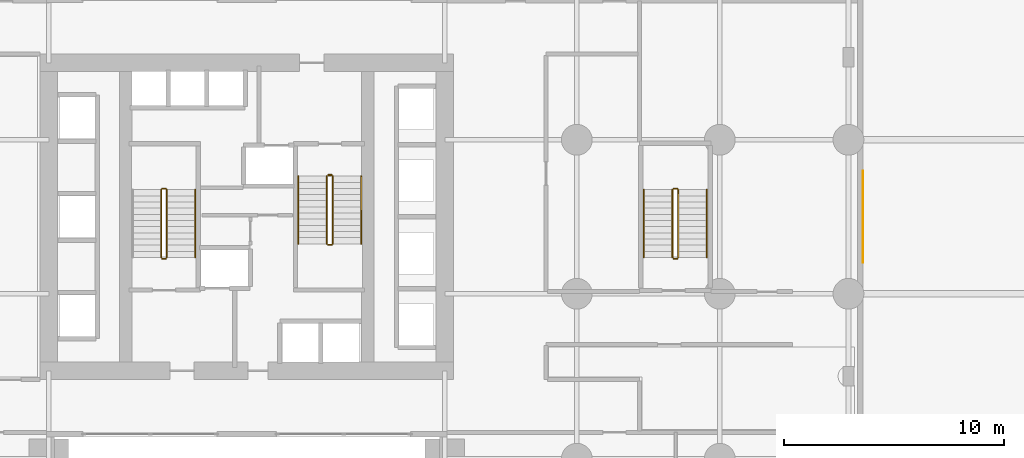
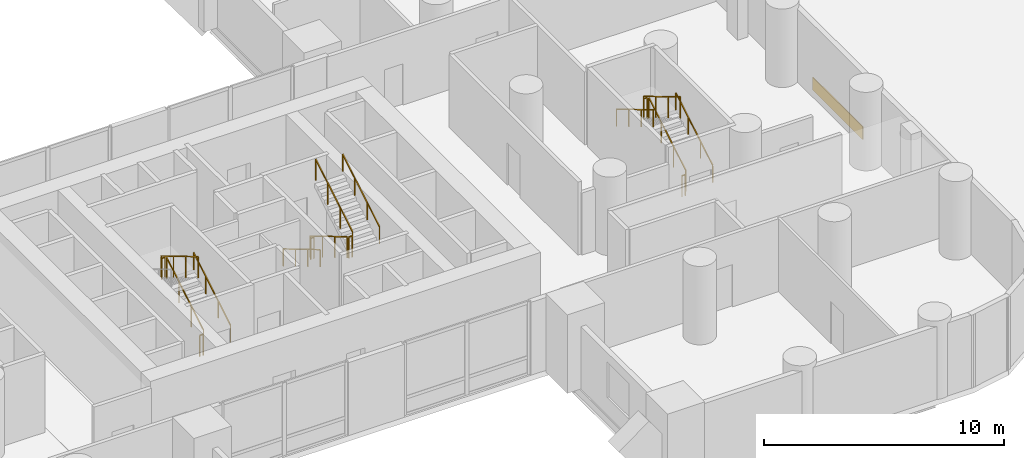
# One storey, part 8 of 8: 17 railings, 1 covering.
"""IFC4 building model written with IfcOpenShell, lengths in metres."""

from ifc_helpers import new_model, si_unit, direction, frame, origin, origin_2d, place, context, subcontext, project, spatial, rectangle, extrude, material, layer, layer_set, type_object, element, save


model = new_model("IFC4")

# Units and contexts
model_context = context("Model", 3, precision=1e-05, world=origin(), true_north=direction((0.0, 1.0)))
body_context = subcontext(model_context, "Body", "Model", "MODEL_VIEW")
ifc_project = project(units=[si_unit("LENGTHUNIT", "METRE"), si_unit("AREAUNIT", "SQUARE_METRE"), si_unit("VOLUMEUNIT", "CUBIC_METRE"), si_unit("PLANEANGLEUNIT", "RADIAN"), si_unit("MASSUNIT", "GRAM", prefix="KILO")], contexts=[model_context])

# Site, building, storey
site_placement = place(None, origin())
site = spatial("IfcSite", under=ifc_project, at=site_placement, CompositionType="ELEMENT")
building_placement = place(site_placement, origin())
building = spatial("IfcBuilding", under=site, at=building_placement, Name="Veldorim Arch Residences", CompositionType="ELEMENT")
storey_placement = place(building_placement, frame((0.0, 0.0, 4.0)))
storey = spatial("IfcBuildingStorey", under=building, at=storey_placement, Name="L01", CompositionType="ELEMENT", Elevation=4.0)

# Railings
ifc_material_1 = material(Name="Steel S355", Category="steel")
railing_type_1 = type_object("IfcRailingType", Name="Galvanised Steel Stair Safety Guardrail 1100", PredefinedType="GUARDRAIL", material=ifc_material_1)
railing_1_placement = place(storey_placement, frame((28.360107421875, 22.14990234375, 0.166748046875)))
element("IfcRailing", 1, at=railing_1_placement, inside=storey, type_object=railing_type_1, Name="L01 ST-1 stair guard 1", PredefinedType="GUARDRAIL", context=body_context, shape_type="SweptSolid", body=[
    extrude(rectangle(XDim=0.048095703125, YDim=0.048095703125, at=origin_2d()), frame((0.0, 0.0, 1.076171875), z_axis=(0.0, 0.859308565015, 0.511457515432), x_axis=(-1.0, 0.0, 0.0)), (0.0, 0.0, 1.0), 3.58447265625),
    extrude(rectangle(XDim=0.0419921875, YDim=0.0419921875, at=origin_2d()), origin(), (0.0, 0.0, 1.0), 1.052001953125),
    extrude(rectangle(XDim=0.0419921875, YDim=0.0419921875, at=origin_2d()), frame((0.0, 1.026611328125, 0.611083984375)), (0.0, 0.0, 1.0), 1.052001953125),
    extrude(rectangle(XDim=0.0419921875, YDim=0.0419921875, at=origin_2d()), frame((0.0, 2.053466796875, 1.22216796875)), (0.0, 0.0, 1.0), 1.052001953125),
    extrude(rectangle(XDim=0.0419921875, YDim=0.0419921875, at=origin_2d()), frame((0.0, 3.080078125, 1.833251953125)), (0.0, 0.0, 1.0), 1.052001953125),
])
railing_2_placement = place(storey_placement, frame((28.31005859375, 25.280029296875, 2.0)))
element("IfcRailing", 2, at=railing_2_placement, inside=storey, type_object=railing_type_1, Name="L01 ST-1 stair guard 2", PredefinedType="GUARDRAIL", context=body_context, shape_type="SweptSolid", body=[
    extrude(rectangle(XDim=0.048095703125, YDim=0.048095703125, at=origin_2d()), frame((0.0, 0.0, 1.076171875), z_axis=(-1.0, 0.0, 0.0), x_axis=(0.0, -1.0, 0.0)), (0.0, 0.0, 1.0), 0.16015625),
    extrude(rectangle(XDim=0.0419921875, YDim=0.0419921875, at=origin_2d()), origin(), (0.0, 0.0, 1.0), 1.052001953125),
    extrude(rectangle(XDim=0.0419921875, YDim=0.0419921875, at=origin_2d()), frame((-0.16015625, 0.0, 0.0)), (0.0, 0.0, 1.0), 1.052001953125),
])
railing_3_placement = place(storey_placement, frame((28.10009765625, 25.22998046875, 2.166748046875)))
element("IfcRailing", 3, at=railing_3_placement, inside=storey, type_object=railing_type_1, Name="L01 ST-1 stair guard 3", PredefinedType="GUARDRAIL", context=body_context, shape_type="SweptSolid", body=[
    extrude(rectangle(XDim=0.048095703125, YDim=0.048095703125, at=origin_2d()), frame((0.0, 0.0, 1.076171875), z_axis=(0.0, -0.859308565015, 0.511457515432), x_axis=(1.0, 0.0, 0.0)), (0.0, 0.0, 1.0), 3.58447265625),
    extrude(rectangle(XDim=0.0419921875, YDim=0.0419921875, at=origin_2d()), origin(), (0.0, 0.0, 1.0), 1.052001953125),
    extrude(rectangle(XDim=0.0419921875, YDim=0.0419921875, at=origin_2d()), frame((0.0, -1.026611328125, 0.611083984375)), (0.0, 0.0, 1.0), 1.052001953125),
    extrude(rectangle(XDim=0.0419921875, YDim=0.0419921875, at=origin_2d()), frame((0.0, -2.053466796875, 1.22216796875)), (0.0, 0.0, 1.0), 1.052001953125),
    extrude(rectangle(XDim=0.0419921875, YDim=0.0419921875, at=origin_2d()), frame((0.0, -3.080078125, 1.833251953125)), (0.0, 0.0, 1.0), 1.052001953125),
])
railing_4_placement = place(storey_placement, frame((28.31005859375, 22.10009765625, 0.0)))
element("IfcRailing", 4, at=railing_4_placement, inside=storey, type_object=railing_type_1, Name="L01 ST-1 stair guard 4", PredefinedType="GUARDRAIL", context=body_context, shape_type="SweptSolid", body=[
    extrude(rectangle(XDim=0.048095703125, YDim=0.048095703125, at=origin_2d()), frame((0.0, 0.0, 1.076171875), z_axis=(-1.0, 0.0, 0.0), x_axis=(0.0, -1.0, 0.0)), (0.0, 0.0, 1.0), 0.16015625),
    extrude(rectangle(XDim=0.0419921875, YDim=0.0419921875, at=origin_2d()), origin(), (0.0, 0.0, 1.0), 1.052001953125),
    extrude(rectangle(XDim=0.0419921875, YDim=0.0419921875, at=origin_2d()), frame((-0.16015625, 0.0, 0.0)), (0.0, 0.0, 1.0), 1.052001953125),
])
railing_5_placement = place(storey_placement, frame((35.639892578125, 25.85009765625, 0.166748046875)))
element("IfcRailing", 5, at=railing_5_placement, inside=storey, type_object=railing_type_1, Name="L01 ST-2 stair guard 1", PredefinedType="GUARDRAIL", context=body_context, shape_type="SweptSolid", body=[
    extrude(rectangle(XDim=0.048095703125, YDim=0.048095703125, at=origin_2d()), frame((0.0, 0.0, 1.076171875), z_axis=(0.0, -0.859308565015, 0.511457515432), x_axis=(1.0, 0.0, 0.0)), (0.0, 0.0, 1.0), 3.58447265625),
    extrude(rectangle(XDim=0.0419921875, YDim=0.0419921875, at=origin_2d()), origin(), (0.0, 0.0, 1.0), 1.052001953125),
    extrude(rectangle(XDim=0.0419921875, YDim=0.0419921875, at=origin_2d()), frame((0.0, -1.026611328125, 0.611083984375)), (0.0, 0.0, 1.0), 1.052001953125),
    extrude(rectangle(XDim=0.0419921875, YDim=0.0419921875, at=origin_2d()), frame((0.0, -2.053466796875, 1.22216796875)), (0.0, 0.0, 1.0), 1.052001953125),
    extrude(rectangle(XDim=0.0419921875, YDim=0.0419921875, at=origin_2d()), frame((0.0, -3.080078125, 1.833251953125)), (0.0, 0.0, 1.0), 1.052001953125),
])
railing_6_placement = place(storey_placement, frame((35.68994140625, 22.719970703125, 2.0)))
element("IfcRailing", 6, at=railing_6_placement, inside=storey, type_object=railing_type_1, Name="L01 ST-2 stair guard 2", PredefinedType="GUARDRAIL", context=body_context, shape_type="SweptSolid", body=[
    extrude(rectangle(XDim=0.048095703125, YDim=0.048095703125, at=origin_2d()), frame((0.0, 0.0, 1.076171875), z_axis=(1.0, 0.0, 0.0), x_axis=(0.0, 1.0, 0.0)), (0.0, 0.0, 1.0), 0.16015625),
    extrude(rectangle(XDim=0.0419921875, YDim=0.0419921875, at=origin_2d()), origin(), (0.0, 0.0, 1.0), 1.052001953125),
    extrude(rectangle(XDim=0.0419921875, YDim=0.0419921875, at=origin_2d()), frame((0.16015625, 0.0, 0.0)), (0.0, 0.0, 1.0), 1.052001953125),
])
railing_7_placement = place(storey_placement, frame((35.89990234375, 22.77001953125, 2.166748046875)))
element("IfcRailing", 7, at=railing_7_placement, inside=storey, type_object=railing_type_1, Name="L01 ST-2 stair guard 3", PredefinedType="GUARDRAIL", context=body_context, shape_type="SweptSolid", body=[
    extrude(rectangle(XDim=0.048095703125, YDim=0.048095703125, at=origin_2d()), frame((0.0, 0.0, 1.076171875), z_axis=(0.0, 0.859308565015, 0.511457515432), x_axis=(-1.0, 0.0, 0.0)), (0.0, 0.0, 1.0), 3.58447265625),
    extrude(rectangle(XDim=0.0419921875, YDim=0.0419921875, at=origin_2d()), origin(), (0.0, 0.0, 1.0), 1.052001953125),
    extrude(rectangle(XDim=0.0419921875, YDim=0.0419921875, at=origin_2d()), frame((0.0, 1.026611328125, 0.611083984375)), (0.0, 0.0, 1.0), 1.052001953125),
    extrude(rectangle(XDim=0.0419921875, YDim=0.0419921875, at=origin_2d()), frame((0.0, 2.053466796875, 1.22216796875)), (0.0, 0.0, 1.0), 1.052001953125),
    extrude(rectangle(XDim=0.0419921875, YDim=0.0419921875, at=origin_2d()), frame((0.0, 3.080078125, 1.833251953125)), (0.0, 0.0, 1.0), 1.052001953125),
])
railing_8_placement = place(storey_placement, frame((35.68994140625, 25.89990234375, 0.0)))
element("IfcRailing", 8, at=railing_8_placement, inside=storey, type_object=railing_type_1, Name="L01 ST-2 stair guard 4", PredefinedType="GUARDRAIL", context=body_context, shape_type="SweptSolid", body=[
    extrude(rectangle(XDim=0.048095703125, YDim=0.048095703125, at=origin_2d()), frame((0.0, 0.0, 1.076171875), z_axis=(1.0, 0.0, 0.0), x_axis=(0.0, 1.0, 0.0)), (0.0, 0.0, 1.0), 0.16015625),
    extrude(rectangle(XDim=0.0419921875, YDim=0.0419921875, at=origin_2d()), origin(), (0.0, 0.0, 1.0), 1.052001953125),
    extrude(rectangle(XDim=0.0419921875, YDim=0.0419921875, at=origin_2d()), frame((0.16015625, 0.0, 0.0)), (0.0, 0.0, 1.0), 1.052001953125),
])
railing_9_placement = place(storey_placement, frame((51.610107421875, 22.14990234375, 0.166748046875)))
element("IfcRailing", 9, at=railing_9_placement, inside=storey, type_object=railing_type_1, Name="L01 ST-3 stair guard 1", PredefinedType="GUARDRAIL", context=body_context, shape_type="SweptSolid", body=[
    extrude(rectangle(XDim=0.048095703125, YDim=0.048095703125, at=origin_2d()), frame((0.0, 0.0, 1.076171875), z_axis=(0.0, 0.859308565015, 0.511457515432), x_axis=(-1.0, 0.0, 0.0)), (0.0, 0.0, 1.0), 3.58447265625),
    extrude(rectangle(XDim=0.0419921875, YDim=0.0419921875, at=origin_2d()), origin(), (0.0, 0.0, 1.0), 1.052001953125),
    extrude(rectangle(XDim=0.0419921875, YDim=0.0419921875, at=origin_2d()), frame((0.0, 1.026611328125, 0.611083984375)), (0.0, 0.0, 1.0), 1.052001953125),
    extrude(rectangle(XDim=0.0419921875, YDim=0.0419921875, at=origin_2d()), frame((0.0, 2.053466796875, 1.22216796875)), (0.0, 0.0, 1.0), 1.052001953125),
    extrude(rectangle(XDim=0.0419921875, YDim=0.0419921875, at=origin_2d()), frame((0.0, 3.080078125, 1.833251953125)), (0.0, 0.0, 1.0), 1.052001953125),
])
railing_10_placement = place(storey_placement, frame((51.56005859375, 25.280029296875, 2.0)))
element("IfcRailing", 10, at=railing_10_placement, inside=storey, type_object=railing_type_1, Name="L01 ST-3 stair guard 2", PredefinedType="GUARDRAIL", context=body_context, shape_type="SweptSolid", body=[
    extrude(rectangle(XDim=0.048095703125, YDim=0.048095703125, at=origin_2d()), frame((0.0, 0.0, 1.076171875), z_axis=(-1.0, 0.0, 0.0), x_axis=(0.0, -1.0, 0.0)), (0.0, 0.0, 1.0), 0.16015625),
    extrude(rectangle(XDim=0.0419921875, YDim=0.0419921875, at=origin_2d()), origin(), (0.0, 0.0, 1.0), 1.052001953125),
    extrude(rectangle(XDim=0.0419921875, YDim=0.0419921875, at=origin_2d()), frame((-0.16015625, 0.0, 0.0)), (0.0, 0.0, 1.0), 1.052001953125),
])
railing_11_placement = place(storey_placement, frame((51.35009765625, 25.22998046875, 2.166748046875)))
element("IfcRailing", 11, at=railing_11_placement, inside=storey, type_object=railing_type_1, Name="L01 ST-3 stair guard 3", PredefinedType="GUARDRAIL", context=body_context, shape_type="SweptSolid", body=[
    extrude(rectangle(XDim=0.048095703125, YDim=0.048095703125, at=origin_2d()), frame((0.0, 0.0, 1.076171875), z_axis=(0.0, -0.859308565015, 0.511457515432), x_axis=(1.0, 0.0, 0.0)), (0.0, 0.0, 1.0), 3.58447265625),
    extrude(rectangle(XDim=0.0419921875, YDim=0.0419921875, at=origin_2d()), origin(), (0.0, 0.0, 1.0), 1.052001953125),
    extrude(rectangle(XDim=0.0419921875, YDim=0.0419921875, at=origin_2d()), frame((0.0, -1.026611328125, 0.611083984375)), (0.0, 0.0, 1.0), 1.052001953125),
    extrude(rectangle(XDim=0.0419921875, YDim=0.0419921875, at=origin_2d()), frame((0.0, -2.053466796875, 1.22216796875)), (0.0, 0.0, 1.0), 1.052001953125),
    extrude(rectangle(XDim=0.0419921875, YDim=0.0419921875, at=origin_2d()), frame((0.0, -3.080078125, 1.833251953125)), (0.0, 0.0, 1.0), 1.052001953125),
])
railing_12_placement = place(storey_placement, frame((51.56005859375, 22.10009765625, 0.0)))
element("IfcRailing", 12, at=railing_12_placement, inside=storey, type_object=railing_type_1, Name="L01 ST-3 stair guard 4", PredefinedType="GUARDRAIL", context=body_context, shape_type="SweptSolid", body=[
    extrude(rectangle(XDim=0.048095703125, YDim=0.048095703125, at=origin_2d()), frame((0.0, 0.0, 1.076171875), z_axis=(-1.0, 0.0, 0.0), x_axis=(0.0, -1.0, 0.0)), (0.0, 0.0, 1.0), 0.16015625),
    extrude(rectangle(XDim=0.0419921875, YDim=0.0419921875, at=origin_2d()), origin(), (0.0, 0.0, 1.0), 1.052001953125),
    extrude(rectangle(XDim=0.0419921875, YDim=0.0419921875, at=origin_2d()), frame((-0.16015625, 0.0, 0.0)), (0.0, 0.0, 1.0), 1.052001953125),
])

# Covering
ifc_material_2 = material(Name="Terracotta Ceramic", Category="masonry")
ifc_layer = layer(ifc_material_2, 0.0400390625, Name="Terracotta Rainscreen Spandrel Cladding Panel")
ifc_layer_set = layer_set([ifc_layer], Name="Terracotta Ceramic")
covering_type = type_object("IfcCoveringType", Name="Terracotta Rainscreen Spandrel Cladding Panel", PredefinedType="CLADDING", material=ifc_layer_set)
covering_placement = place(storey_placement, frame((60.010009765625, 24.0, 0.025146484375), z_axis=(0.0, 0.0, 1.0), x_axis=(0.0, 1.0, 0.0)))
element("IfcCovering", 13, at=covering_placement, inside=storey, type_object=covering_type, Name="L01 terracotta rainscreen spandrel panel 2", PredefinedType="CLADDING", context=body_context, shape_type="SweptSolid", body=[
    extrude(rectangle(XDim=4.199951171875, YDim=0.0400390625, at=origin_2d()), origin(), (0.0, 0.0, 1.0), 0.64990234375),
])

# Railings
ifc_material_3 = material(Name="Stainless Steel", Category="steel")
railing_type_2 = type_object("IfcRailingType", Name="Tubular Steel Continuous Wall Handrail 900", PredefinedType="HANDRAIL", material=ifc_material_3)
railing_13_placement = place(storey_placement, frame((29.659912109375, 22.14990234375, 0.166748046875)))
element("IfcRailing", 14, at=railing_13_placement, inside=storey, type_object=railing_type_2, Name="L01 ST-1 stair handrail 1", PredefinedType="HANDRAIL", context=body_context, shape_type="SweptSolid", body=[
    extrude(rectangle(XDim=0.048095703125, YDim=0.048095703125, at=origin_2d()), frame((0.0, 0.0, 0.8759765625), z_axis=(0.0, 0.859308565015, 0.511457515432), x_axis=(-1.0, 0.0, 0.0)), (0.0, 0.0, 1.0), 3.58447265625),
    extrude(rectangle(XDim=0.0419921875, YDim=0.0419921875, at=origin_2d()), origin(), (0.0, 0.0, 1.0), 0.851806640625),
    extrude(rectangle(XDim=0.0419921875, YDim=0.0419921875, at=origin_2d()), frame((0.0, 1.026611328125, 0.611083984375)), (0.0, 0.0, 1.0), 0.851806640625),
    extrude(rectangle(XDim=0.0419921875, YDim=0.0419921875, at=origin_2d()), frame((0.0, 2.053466796875, 1.22216796875)), (0.0, 0.0, 1.0), 0.851806640625),
    extrude(rectangle(XDim=0.0419921875, YDim=0.0419921875, at=origin_2d()), frame((0.0, 3.080078125, 1.833251953125)), (0.0, 0.0, 1.0), 0.851806640625),
])
railing_14_placement = place(storey_placement, frame((34.340087890625, 25.85009765625, 0.166748046875)))
element("IfcRailing", 15, at=railing_14_placement, inside=storey, type_object=railing_type_2, Name="L01 ST-2 stair handrail 1", PredefinedType="HANDRAIL", context=body_context, shape_type="SweptSolid", body=[
    extrude(rectangle(XDim=0.048095703125, YDim=0.048095703125, at=origin_2d()), frame((0.0, 0.0, 0.8759765625), z_axis=(0.0, -0.859308565015, 0.511457515432), x_axis=(1.0, 0.0, 0.0)), (0.0, 0.0, 1.0), 3.58447265625),
    extrude(rectangle(XDim=0.0419921875, YDim=0.0419921875, at=origin_2d()), origin(), (0.0, 0.0, 1.0), 0.851806640625),
    extrude(rectangle(XDim=0.0419921875, YDim=0.0419921875, at=origin_2d()), frame((0.0, -1.026611328125, 0.611083984375)), (0.0, 0.0, 1.0), 0.851806640625),
    extrude(rectangle(XDim=0.0419921875, YDim=0.0419921875, at=origin_2d()), frame((0.0, -2.053466796875, 1.22216796875)), (0.0, 0.0, 1.0), 0.851806640625),
    extrude(rectangle(XDim=0.0419921875, YDim=0.0419921875, at=origin_2d()), frame((0.0, -3.080078125, 1.833251953125)), (0.0, 0.0, 1.0), 0.851806640625),
])
for number, where, name in (
    (16, (37.199951171875, 22.77001953125, 2.166748046875), "L01 ST-2 stair handrail 2"),
    (17, (52.909912109375, 22.14990234375, 0.166748046875), "L01 ST-3 stair handrail 1"),
):
    element("IfcRailing", number, at=place(storey_placement, frame(where)), inside=storey, type_object=railing_type_2, Name=name, PredefinedType="HANDRAIL", context=body_context, shape_type="SweptSolid", body=[
        extrude(rectangle(XDim=0.048095703125, YDim=0.048095703125, at=origin_2d()), frame((0.0, 0.0, 0.8759765625), z_axis=(0.0, 0.859308565015, 0.511457515432), x_axis=(-1.0, 0.0, 0.0)), (0.0, 0.0, 1.0), 3.58447265625),
        extrude(rectangle(XDim=0.0419921875, YDim=0.0419921875, at=origin_2d()), origin(), (0.0, 0.0, 1.0), 0.851806640625),
        extrude(rectangle(XDim=0.0419921875, YDim=0.0419921875, at=origin_2d()), frame((0.0, 1.026611328125, 0.611083984375)), (0.0, 0.0, 1.0), 0.851806640625),
        extrude(rectangle(XDim=0.0419921875, YDim=0.0419921875, at=origin_2d()), frame((0.0, 2.053466796875, 1.22216796875)), (0.0, 0.0, 1.0), 0.851806640625),
        extrude(rectangle(XDim=0.0419921875, YDim=0.0419921875, at=origin_2d()), frame((0.0, 3.080078125, 1.833251953125)), (0.0, 0.0, 1.0), 0.851806640625),
    ])
railing_15_placement = place(storey_placement, frame((50.050048828125, 25.22998046875, 2.166748046875)))
element("IfcRailing", 18, at=railing_15_placement, inside=storey, type_object=railing_type_2, Name="L01 ST-3 stair handrail 2", PredefinedType="HANDRAIL", context=body_context, shape_type="SweptSolid", body=[
    extrude(rectangle(XDim=0.048095703125, YDim=0.048095703125, at=origin_2d()), frame((0.0, 0.0, 0.8759765625), z_axis=(0.0, -0.859308565015, 0.511457515432), x_axis=(1.0, 0.0, 0.0)), (0.0, 0.0, 1.0), 3.58447265625),
    extrude(rectangle(XDim=0.0419921875, YDim=0.0419921875, at=origin_2d()), origin(), (0.0, 0.0, 1.0), 0.851806640625),
    extrude(rectangle(XDim=0.0419921875, YDim=0.0419921875, at=origin_2d()), frame((0.0, -1.026611328125, 0.611083984375)), (0.0, 0.0, 1.0), 0.851806640625),
    extrude(rectangle(XDim=0.0419921875, YDim=0.0419921875, at=origin_2d()), frame((0.0, -2.053466796875, 1.22216796875)), (0.0, 0.0, 1.0), 0.851806640625),
    extrude(rectangle(XDim=0.0419921875, YDim=0.0419921875, at=origin_2d()), frame((0.0, -3.080078125, 1.833251953125)), (0.0, 0.0, 1.0), 0.851806640625),
])

save(model, "model.ifc")
